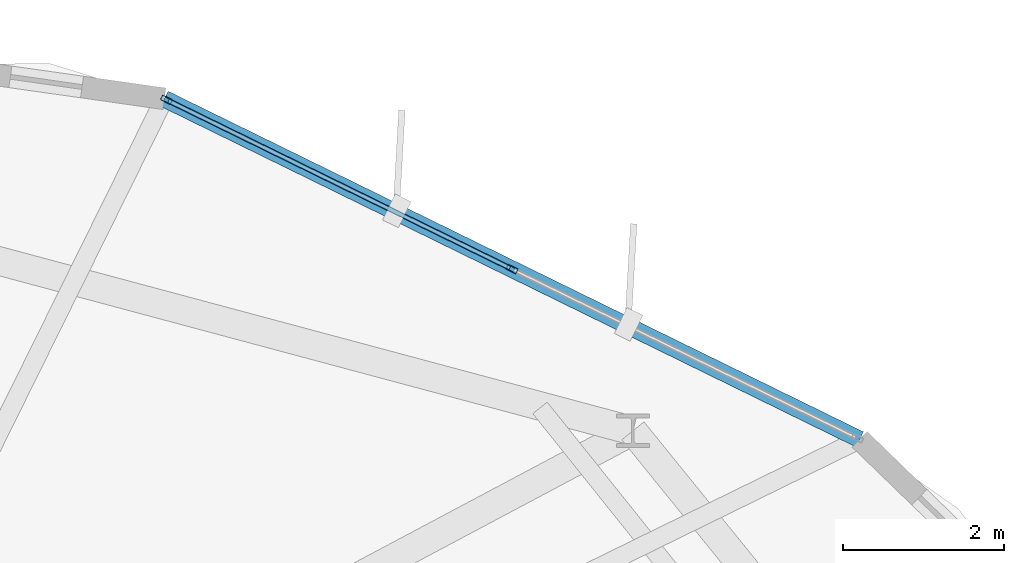
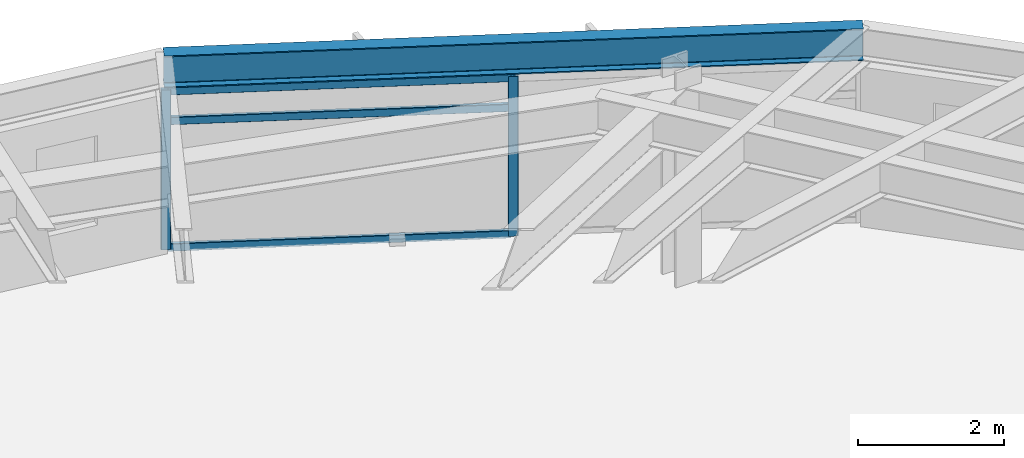
# One storey, part 19 of 28: 5 members, 1 beam, 1 element without a shape of its own.
"""IFC4 building model written with IfcOpenShell, lengths in metres."""

from ifc_helpers import new_model, si_unit, direction, frame, origin, origin_2d, place, context, subcontext, project, spatial, hollow_rectangle, i_section, extrude, material, layer, layer_set, material_profile, profile_set, type_object, element, aggregate, save


model = new_model("IFC4")

# Units and contexts
model_context = context("Model", 3, precision=1e-05, world=origin(), true_north=direction((0.0, 1.0)))
body_context = subcontext(model_context, "Body", "Model", "MODEL_VIEW")
ifc_project = project(units=[si_unit("LENGTHUNIT", "METRE"), si_unit("AREAUNIT", "SQUARE_METRE"), si_unit("VOLUMEUNIT", "CUBIC_METRE"), si_unit("PLANEANGLEUNIT", "RADIAN"), si_unit("MASSUNIT", "GRAM", prefix="KILO")], contexts=[model_context])

# Site, building, storey
site_placement = place(None, origin())
site = spatial("IfcSite", under=ifc_project, at=site_placement, CompositionType="ELEMENT")
building_placement = place(site_placement, origin())
building = spatial("IfcBuilding", under=site, at=building_placement, Name="Soratama Intermodal Tower", CompositionType="ELEMENT")
storey_placement = place(building_placement, frame((0.0, 0.0, 201.39990234375)))
storey = spatial("IfcBuildingStorey", under=building, at=storey_placement, Name="L50", CompositionType="ELEMENT", Elevation=201.39990234375)

# Beam
ifc_material_1 = material(Name="Structural steel ASTM A992 Grade 50", Category="steel")
ifc_material_profile_1 = material_profile(ifc_material_1, i_section(OverallWidth=0.2099609375, OverallDepth=0.537109375, WebThickness=0.010986328125, FlangeThickness=0.017333984375, FilletRadius=0.012939453125, at=origin_2d()), Name="W21X68")
ifc_profile_set_1 = profile_set([ifc_material_profile_1], Name="Structural steel ASTM A992 Grade 50")
beam_type = type_object("IfcBeamType", Name="BM-SPN-W21X68", PredefinedType="SPANDREL", material=ifc_profile_set_1)
beam_placement = place(storey_placement, frame((57.948974609375, 40.492919921875, 3.031494140625), z_axis=(-0.898030189866, 0.439933833762, 0.0), x_axis=(-0.439933833762, -0.898030189866, 0.0)))
element("IfcBeam", 1, at=beam_placement, inside=storey, type_object=beam_type, Name="BS-L50-F01", PredefinedType="SPANDREL", context=body_context, shape_type="SweptSolid", body=[
    extrude(i_section(OverallWidth=0.2099609375, OverallDepth=0.537109375, WebThickness=0.010986328125, FlangeThickness=0.017333984375, FilletRadius=0.012939453125, at=origin_2d()), origin(), (0.0, 0.0, 1.0), 9.62451171875),
])

# Curtain wall, members
ifc_material_2 = material(Name="Double-glazed aluminium curtain wall", Category="aluminium")
ifc_layer = layer(ifc_material_2, 0.159912109375)
ifc_layer_set = layer_set([ifc_layer], Name="Double-glazed aluminium curtain wall")
curtain_wall_type = type_object("IfcCurtainWallType", Name="CW-SYS-5", PredefinedType="NOTDEFINED", material=ifc_layer_set)
curtain_wall_placement = place(storey_placement, origin())
curtain_wall = element("IfcCurtainWall", 2, at=curtain_wall_placement, inside=storey, type_object=curtain_wall_type, Name="L50 Faceted Curtain Wall F01", PredefinedType="NOTDEFINED")
ifc_material_3 = material(Name="Anodised aluminium AA 6063-T6", Category="aluminium")
ifc_material_profile_2 = material_profile(ifc_material_3, hollow_rectangle(XDim=0.06494140625, YDim=0.139892578125, WallThickness=0.0048828125, InnerFilletRadius=0.0048828125, OuterFilletRadius=0.010009765625, at=origin_2d()), Name="CWM140X65X5")
ifc_profile_set_2 = profile_set([ifc_material_profile_2], Name="Anodised aluminium AA 6063-T6")
member_type_1 = type_object("IfcMemberType", Name="MT-CWM-5", PredefinedType="MULLION", material=ifc_profile_set_2)
member_1_placement = place(storey_placement, frame((53.627197265625, 42.6103515625, 0.0), z_axis=(0.0, 0.0, 1.0), x_axis=(-0.439937909468, -0.898028193217, 0.0)))
member_1 = element("IfcMember", 3, at=member_1_placement, type_object=member_type_1, Name="CW-5 mullion 2", PredefinedType="MULLION", context=body_context, shape_type="SweptSolid", body=[
    extrude(hollow_rectangle(XDim=0.06494140625, YDim=0.139892578125, WallThickness=0.0048828125, InnerFilletRadius=0.0048828125, OuterFilletRadius=0.010009765625, at=origin_2d()), origin(), (0.0, 0.0, 1.0), 2.67919921875),
])
member_2_placement = place(storey_placement, frame((49.332763671875, 44.714111328125, 0.0), z_axis=(0.0, 0.0, 1.0), x_axis=(-0.439937909468, -0.898028193217, 0.0)))
member_2 = element("IfcMember", 4, at=member_2_placement, type_object=member_type_1, Name="CW-5 mullion 3", PredefinedType="MULLION", context=body_context, shape_type="SweptSolid", body=[
    extrude(hollow_rectangle(XDim=0.06494140625, YDim=0.139892578125, WallThickness=0.0048828125, InnerFilletRadius=0.0048828125, OuterFilletRadius=0.010009765625, at=origin_2d()), origin(), (0.0, 0.0, 1.0), 2.67919921875),
])
ifc_material_4 = material(Name="Anodised aluminium AA 6063-T6", Category="aluminium")
ifc_material_profile_3 = material_profile(ifc_material_4, hollow_rectangle(XDim=0.06005859375, YDim=0.1298828125, WallThickness=0.0048828125, InnerFilletRadius=0.0048828125, OuterFilletRadius=0.010009765625, at=origin_2d()), Name="CWT130X60X5")
ifc_profile_set_3 = profile_set([ifc_material_profile_3], Name="Anodised aluminium AA 6063-T6")
member_type_2 = type_object("IfcMemberType", Name="TT-CWT-2", PredefinedType="USERDEFINED", material=ifc_profile_set_3)
member_3_placement = place(storey_placement, frame((53.60009765625, 42.62353515625, 0.030029296875), z_axis=(-0.898027275491, 0.439939782783, 0.0), x_axis=(-0.439939782783, -0.898027275491, 0.0)))
member_3 = element("IfcMember", 5, at=member_3_placement, type_object=member_type_2, Name="CW-5 transom 2.1", ObjectType="TRANSOM", PredefinedType="USERDEFINED", context=body_context, shape_type="SweptSolid", body=[
    extrude(hollow_rectangle(XDim=0.06005859375, YDim=0.1298828125, WallThickness=0.0048828125, InnerFilletRadius=0.0048828125, OuterFilletRadius=0.010009765625, at=origin_2d()), origin(), (0.0, 0.0, 1.0), 4.721923828125),
])
member_4_placement = place(storey_placement, frame((53.60009765625, 42.62353515625, 2.150146484375), z_axis=(-0.898027275491, 0.439939782783, 0.0), x_axis=(-0.439939782783, -0.898027275491, 0.0)))
member_4 = element("IfcMember", 6, at=member_4_placement, type_object=member_type_2, Name="CW-5 transom 2.2", ObjectType="TRANSOM", PredefinedType="USERDEFINED", context=body_context, shape_type="SweptSolid", body=[
    extrude(hollow_rectangle(XDim=0.06005859375, YDim=0.1298828125, WallThickness=0.0048828125, InnerFilletRadius=0.0048828125, OuterFilletRadius=0.010009765625, at=origin_2d()), origin(), (0.0, 0.0, 1.0), 4.721923828125),
])
member_5_placement = place(storey_placement, frame((53.60009765625, 42.62353515625, 2.649169921875), z_axis=(-0.898027275491, 0.439939782783, 0.0), x_axis=(-0.439939782783, -0.898027275491, 0.0)))
member_5 = element("IfcMember", 7, at=member_5_placement, type_object=member_type_2, Name="CW-5 transom 2.3", ObjectType="TRANSOM", PredefinedType="USERDEFINED", context=body_context, shape_type="SweptSolid", body=[
    extrude(hollow_rectangle(XDim=0.06005859375, YDim=0.1298828125, WallThickness=0.0048828125, InnerFilletRadius=0.0048828125, OuterFilletRadius=0.010009765625, at=origin_2d()), origin(), (0.0, 0.0, 1.0), 4.721923828125),
])
aggregate(curtain_wall, [member_1, member_2, member_3, member_4, member_5])

save(model, "model.ifc")
